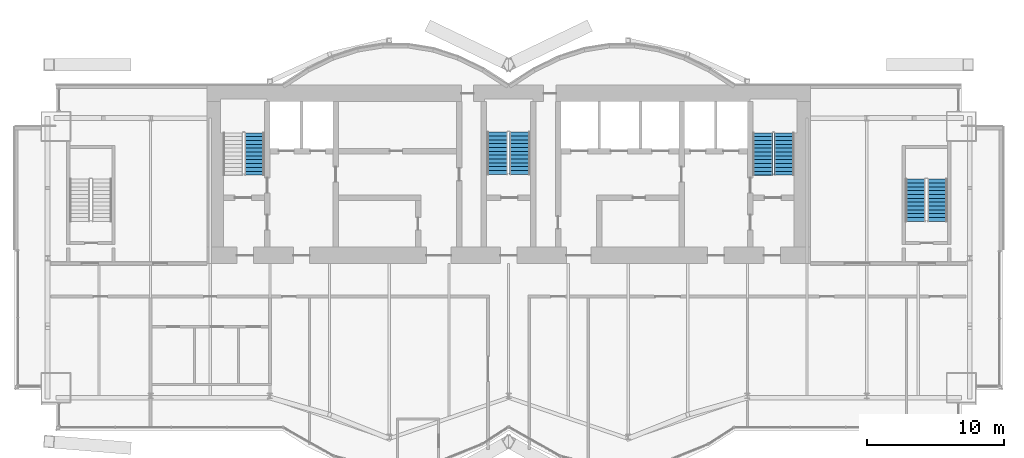
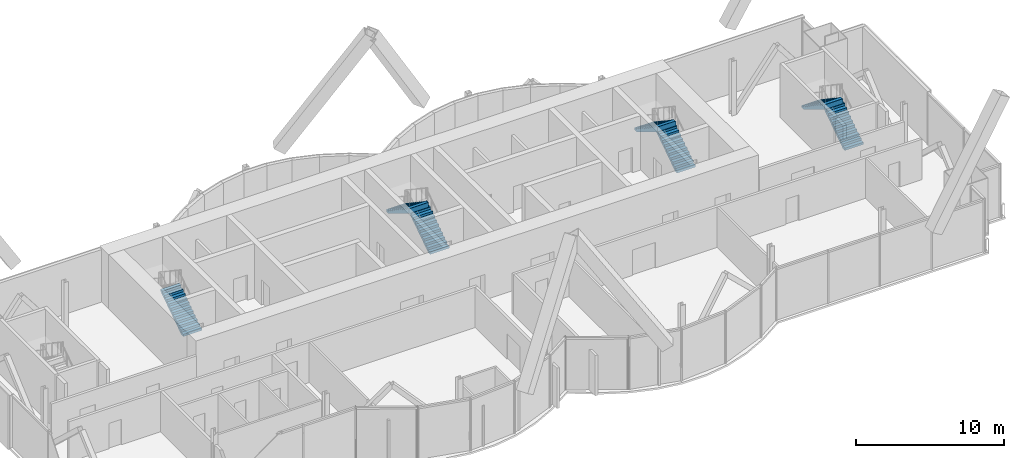
# One storey, part 14 of 17: 7 stair flights, 4 elements without a shape of their own.
"""IFC4 building model written with IfcOpenShell, lengths in metres."""

import ifcopenshell
import ifcopenshell.guid

model = None  # the IFC model being written
_history = None  # IfcOwnerHistory: only IFC2X3 demands one
_inside = {}  # id of a spatial element -> (the spatial element, [elements in it])
_under = {}  # id of a project, library or spatial element -> (it, [spatial elements below it])
_declared = {}  # id of a project -> (the project, [libraries it declares])
_typed = {}  # id of a type object -> (the type object, [elements of that type])
_made_of = {}  # id of a material, layer set ... -> (it, [elements and type objects made of it])


def new_model(schema):
    """Start an empty IFC model of exactly this schema.

    Asked for "IFC4X3", IfcOpenShell would pick the latest addendum, in which some entities
    have other attributes; the version numbers below select the first issue.
    IFC2X3 requires an IfcOwnerHistory on every rooted entity: one is made here for all.
    """
    global model, _history
    if schema == "IFC4X3":
        model = ifcopenshell.file(schema_version=(4, 3, 0, 0))
    else:
        model = ifcopenshell.file(schema=schema)
    _inside.clear()
    _under.clear()
    _declared.clear()
    _typed.clear()
    _made_of.clear()
    _history = None
    if model.schema == "IFC2X3":
        org = make("IfcOrganization", Name="unknown")
        user = make(
            "IfcPersonAndOrganization",
            ThePerson=make("IfcPerson", FamilyName="unknown"),
            TheOrganization=org,
        )
        app = make(
            "IfcApplication",
            ApplicationDeveloper=org,
            Version="unknown",
            ApplicationFullName="unknown",
            ApplicationIdentifier="unknown",
        )
        _history = make(
            "IfcOwnerHistory",
            OwningUser=user,
            OwningApplication=app,
            ChangeAction="ADDED",
            CreationDate=0,
        )
    return model


def make(cls, **values):
    """One entity of the class cls with the attributes given. An attribute that is None is left unset."""
    return model.create_entity(
        cls, **{name: value for name, value in values.items() if value is not None}
    )


def rooted(cls, **values):
    """An entity with a GlobalId (a new one), such as an element, a storey or a relation."""
    return make(cls, GlobalId=ifcopenshell.guid.new(), OwnerHistory=_history, **values)


def si_unit(unit_type, name, prefix=None):
    """IfcSIUnit, for example si_unit("LENGTHUNIT", "METRE", prefix="MILLI")."""
    return make("IfcSIUnit", UnitType=unit_type, Prefix=prefix, Name=name)


def assignment(units):
    """IfcUnitAssignment: the units of a project."""
    return None if units is None else make("IfcUnitAssignment", Units=units)


def point(xyz):
    """IfcCartesianPoint."""
    return None if xyz is None else make("IfcCartesianPoint", Coordinates=xyz)


def direction(xyz):
    """IfcDirection."""
    return None if xyz is None else make("IfcDirection", DirectionRatios=xyz)


def frame(location, z_axis=None, x_axis=None):
    """IfcAxis2Placement3D, a coordinate frame: its origin and axes. An axis left out is left unset."""
    return make(
        "IfcAxis2Placement3D",
        Location=point(location),
        Axis=direction(z_axis),
        RefDirection=direction(x_axis),
    )


def origin():
    """The frame at (0, 0, 0) with its axes left unset."""
    return frame((0.0, 0.0, 0.0))


def place(relative_to, where):
    """IfcLocalPlacement: puts the frame where relative to a parent placement (None: the world)."""
    return make(
        "IfcLocalPlacement", PlacementRelTo=relative_to, RelativePlacement=where
    )


def context(
    kind, dimensions, precision=None, world=None, true_north=None, identifier=None
):
    """IfcGeometricRepresentationContext, for example the 3D "Model" context."""
    return make(
        "IfcGeometricRepresentationContext",
        ContextIdentifier=identifier,
        ContextType=kind,
        CoordinateSpaceDimension=dimensions,
        Precision=precision,
        WorldCoordinateSystem=world,
        TrueNorth=true_north,
    )


def subcontext(parent, identifier, kind, view, scale=None):
    """IfcGeometricRepresentationSubContext, for example "Body" below "Model"."""
    return make(
        "IfcGeometricRepresentationSubContext",
        ContextIdentifier=identifier,
        ContextType=kind,
        ParentContext=parent,
        TargetScale=scale,
        TargetView=view,
    )


def project(units=None, contexts=None):
    """IfcProject with its units and contexts."""
    return rooted(
        "IfcProject",
        Name="project",
        RepresentationContexts=contexts,
        UnitsInContext=assignment(units),
    )


def spatial(cls, under=None, at=None, **own):
    """A site, building, storey or space (cls), placed at a placement, below another one or the project."""
    s = rooted(cls, ObjectPlacement=at, **own)
    if under is not None:
        _under.setdefault(under.id(), (under, []))[1].append(s)
    return s


def polyline(points):
    """IfcPolyline through the points."""
    return make("IfcPolyline", Points=[point(p) for p in points])


def outline(outer, holes=None, kind="AREA"):
    """IfcArbitraryClosedProfileDef: a profile drawn as a closed curve; with holes, ...WithVoids."""
    if holes is None:
        return make("IfcArbitraryClosedProfileDef", ProfileType=kind, OuterCurve=outer)
    return make(
        "IfcArbitraryProfileDefWithVoids",
        ProfileType=kind,
        OuterCurve=outer,
        InnerCurves=holes,
    )


def extrude(swept, where, along, depth):
    """IfcExtrudedAreaSolid: the profile swept, set in the frame where, extruded along a direction by depth."""
    return make(
        "IfcExtrudedAreaSolid",
        SweptArea=swept,
        Position=where,
        ExtrudedDirection=direction(along),
        Depth=depth,
    )


def shape(context_of_items, identifier, shape_type, items):
    """IfcShapeRepresentation: the items that make up one representation, for example the "Body"."""
    return make(
        "IfcShapeRepresentation",
        ContextOfItems=context_of_items,
        RepresentationIdentifier=identifier,
        RepresentationType=shape_type,
        Items=items,
    )


def material(Name=None, Category=None):
    """IfcMaterial."""
    return make("IfcMaterial", Name=Name, Category=Category)


def made_of(thing, what):
    """Note that an element or type object is made of a material, layer set ...; save() writes the relation."""
    if what is not None:
        _made_of.setdefault(what.id(), (what, []))[1].append(thing)
    return thing


def type_object(cls, material=None, **own):
    """A type object (cls), such as IfcWallType, which elements share."""
    return made_of(rooted(cls, **own), material)


def element(
    cls,
    number,
    at=None,
    inside=None,
    cuts=None,
    type_object=None,
    material=None,
    context=None,
    identifier="Body",
    shape_type=None,
    held_by="IfcProductDefinitionShape",
    body=None,
    shapes=None,
    **own,
):
    """One element of the class cls, such as IfcWall. Its Tag is "e" and its number.

    at: its placement. inside: the storey or other place that contains it. cuts: it is an
    opening in that element (IfcRelVoidsElement). A single representation is given by context,
    identifier, shape_type and body (its items); several are given by shapes. held_by: the class
    of the entity that holds the representations. save() writes the other relations.
    """
    e = rooted(cls, Tag="e%d" % number, ObjectPlacement=at, **own)
    if body is not None:
        shapes = [shape(context, identifier, shape_type, body)]
    if shapes is not None:
        e.Representation = make(held_by, Representations=shapes)
    if inside is not None:
        _inside.setdefault(inside.id(), (inside, []))[1].append(e)
    if cuts is not None:
        rooted(
            "IfcRelVoidsElement", RelatingBuildingElement=cuts, RelatedOpeningElement=e
        )
    if type_object is not None:
        _typed.setdefault(type_object.id(), (type_object, []))[1].append(e)
    return made_of(e, material)


def aggregate(whole, parts):
    """IfcRelAggregates: a whole, such as a stair, and the parts it consists of."""
    return rooted("IfcRelAggregates", RelatingObject=whole, RelatedObjects=parts)


def save(model, path):
    """Write the relations noted so far, then the file.

    IfcRelAggregates (storeys below a building ...), IfcRelContainedInSpatialStructure (elements
    in a storey), IfcRelDefinesByType, IfcRelAssociatesMaterial and IfcRelDeclares: one each for
    every whole, place, type object, material and project.
    """
    for whole, parts in _under.values():
        aggregate(whole, parts)
    for where, things in _inside.values():
        rooted(
            "IfcRelContainedInSpatialStructure",
            RelatedElements=things,
            RelatingStructure=where,
        )
    for kind, things in _typed.values():
        rooted("IfcRelDefinesByType", RelatedObjects=things, RelatingType=kind)
    for what, things in _made_of.values():
        rooted("IfcRelAssociatesMaterial", RelatedObjects=things, RelatingMaterial=what)
    for by, libraries in _declared.values():
        rooted("IfcRelDeclares", RelatingContext=by, RelatedDefinitions=libraries)
    model.write(path)


model = new_model("IFC4")

# Units and contexts
model_context = context("Model", 3, precision=1e-05, world=origin(), true_north=direction((0.0, 1.0)))
body_context = subcontext(model_context, "Body", "Model", "MODEL_VIEW")
ifc_project = project(units=[si_unit("LENGTHUNIT", "METRE"), si_unit("AREAUNIT", "SQUARE_METRE"), si_unit("VOLUMEUNIT", "CUBIC_METRE"), si_unit("PLANEANGLEUNIT", "RADIAN"), si_unit("MASSUNIT", "GRAM", prefix="KILO")], contexts=[model_context])

# Site, building, storey
site_placement = place(None, origin())
site = spatial("IfcSite", under=ifc_project, at=site_placement, CompositionType="ELEMENT")
building_placement = place(site_placement, origin())
building = spatial("IfcBuilding", under=site, at=building_placement, Name="Bicima Exchange Tower", CompositionType="ELEMENT")
storey_placement = place(building_placement, frame((0.0, 0.0, 333.5)))
storey = spatial("IfcBuildingStorey", under=building, at=storey_placement, Name="L75", CompositionType="ELEMENT", Elevation=333.5)

# Stair, stair flight
ifc_material = material(Name="Concrete C50/60", Category="concrete")
stair_type_1 = type_object("IfcStairType", Name="Exit stair", PredefinedType="HALF_TURN_STAIR", material=ifc_material)
stair_1_placement = place(storey_placement, origin())
stair_1 = element("IfcStair", 1, at=stair_1_placement, inside=storey, type_object=stair_type_1, Name="L75 West exit stair", PredefinedType="HALF_TURN_STAIR")
stair_flight_type_1 = type_object("IfcStairFlightType", Name="Stair flight RC", PredefinedType="STRAIGHT", material=ifc_material)
stair_flight_1_placement = place(storey_placement, frame((-18.52490234375, -6.550048828125, 0.0), z_axis=(0.0, 0.0, 1.0), x_axis=(0.0, 1.0, 0.0)))
stair_flight_1 = element("IfcStairFlight", 2, at=stair_flight_1_placement, type_object=stair_flight_type_1, Name="ST-W flight 1", NumberOfRisers=12, NumberOfTreads=11, PredefinedType="STRAIGHT", RiserHeight=0.1875, TreadLength=0.28, context=body_context, shape_type="SweptSolid", body=[
    extrude(outline(polyline([(0.0, 0.0), (0.0, 0.1875), (0.280029296875, 0.1875), (0.280029296875, 0.375), (0.56005859375, 0.375), (0.56005859375, 0.5625), (0.840087890625, 0.5625), (0.840087890625, 0.75), (1.1201171875, 0.75), (1.1201171875, 0.9375), (1.39990234375, 0.9375), (1.39990234375, 1.125), (1.679931640625, 1.125), (1.679931640625, 1.3125), (1.9599609375, 1.3125), (1.9599609375, 1.5), (2.239990234375, 1.5), (2.239990234375, 1.6875), (2.52001953125, 1.6875), (2.52001953125, 1.875), (2.800048828125, 1.875), (2.800048828125, 2.0625), (3.080078125, 2.0625), (3.080078125, 2.25), (3.080078125, 1.882080078125), (0.26953125, 0.0), (0.0, 0.0)])), frame((0.0, 0.72509765625, 0.0), z_axis=(0.0, -1.0, 0.0), x_axis=(1.0, 0.0, 0.0)), (0.0, 0.0, 1.0), 1.449951171875),
])
aggregate(stair_1, [stair_flight_1])

# Stair, stair flights
stair_2_placement = place(storey_placement, origin())
stair_2 = element("IfcStair", 3, at=stair_2_placement, inside=storey, type_object=stair_type_1, Name="L75 East exit stair", PredefinedType="HALF_TURN_STAIR")
stair_flight_2_placement = place(storey_placement, frame((20.074951171875, -6.550048828125, 0.0), z_axis=(0.0, 0.0, 1.0), x_axis=(0.0, 1.0, 0.0)))
stair_flight_2 = element("IfcStairFlight", 4, at=stair_flight_2_placement, type_object=stair_flight_type_1, Name="ST-E flight 1", NumberOfRisers=12, NumberOfTreads=11, PredefinedType="STRAIGHT", RiserHeight=0.1875, TreadLength=0.28, context=body_context, shape_type="SweptSolid", body=[
    extrude(outline(polyline([(0.0, 0.0), (0.0, 0.1875), (0.280029296875, 0.1875), (0.280029296875, 0.375), (0.56005859375, 0.375), (0.56005859375, 0.5625), (0.840087890625, 0.5625), (0.840087890625, 0.75), (1.1201171875, 0.75), (1.1201171875, 0.9375), (1.39990234375, 0.9375), (1.39990234375, 1.125), (1.679931640625, 1.125), (1.679931640625, 1.3125), (1.9599609375, 1.3125), (1.9599609375, 1.5), (2.239990234375, 1.5), (2.239990234375, 1.6875), (2.52001953125, 1.6875), (2.52001953125, 1.875), (2.800048828125, 1.875), (2.800048828125, 2.0625), (3.080078125, 2.0625), (3.080078125, 2.25), (3.080078125, 1.882080078125), (0.26953125, 0.0), (0.0, 0.0)])), frame((0.0, 0.72509765625, 0.0), z_axis=(0.0, -1.0, 0.0), x_axis=(1.0, 0.0, 0.0)), (0.0, 0.0, 1.0), 1.449951171875),
])
stair_flight_3_placement = place(storey_placement, frame((18.52490234375, -3.469970703125, 2.25), z_axis=(0.0, 0.0, 1.0), x_axis=(0.0, -1.0, 0.0)))
stair_flight_3 = element("IfcStairFlight", 5, at=stair_flight_3_placement, type_object=stair_flight_type_1, Name="ST-E flight 2", NumberOfRisers=12, NumberOfTreads=11, PredefinedType="STRAIGHT", RiserHeight=0.1875, TreadLength=0.28, context=body_context, shape_type="SweptSolid", body=[
    extrude(outline(polyline([(0.0, 0.0), (0.0, 0.1875), (0.280029296875, 0.1875), (0.280029296875, 0.375), (0.56005859375, 0.375), (0.56005859375, 0.5625), (0.840087890625, 0.5625), (0.840087890625, 0.75), (1.1201171875, 0.75), (1.1201171875, 0.9375), (1.39990234375, 0.9375), (1.39990234375, 1.125), (1.679931640625, 1.125), (1.679931640625, 1.3125), (1.9599609375, 1.3125), (1.9599609375, 1.5), (2.239990234375, 1.5), (2.239990234375, 1.6875), (2.52001953125, 1.6875), (2.52001953125, 1.875), (2.800048828125, 1.875), (2.800048828125, 2.0625), (3.080078125, 2.0625), (3.080078125, 2.10400390625), (3.094970703125, 2.10400390625), (3.094970703125, 1.70458984375), (0.26953125, 0.0), (0.0, 0.0)])), frame((0.0, 0.72509765625, 0.0), z_axis=(0.0, -1.0, 0.0), x_axis=(1.0, 0.0, 0.0)), (0.0, 0.0, 1.0), 1.449951171875),
])
aggregate(stair_2, [stair_flight_2, stair_flight_3])

stair_3_placement = place(storey_placement, origin())
stair_3 = element("IfcStair", 6, at=stair_3_placement, inside=storey, type_object=stair_type_1, Name="L75 East end exit stair", PredefinedType="HALF_TURN_STAIR")
stair_flight_4_placement = place(storey_placement, frame((31.25, -9.925048828125, 0.0), z_axis=(0.0, 0.0, 1.0), x_axis=(0.0, 1.0, 0.0)))
stair_flight_4 = element("IfcStairFlight", 7, at=stair_flight_4_placement, type_object=stair_flight_type_1, Name="ST-EE flight 1", NumberOfRisers=12, NumberOfTreads=11, PredefinedType="STRAIGHT", RiserHeight=0.1875, TreadLength=0.28, context=body_context, shape_type="SweptSolid", body=[
    extrude(outline(polyline([(0.0, 0.0), (0.0, 0.1875), (0.280029296875, 0.1875), (0.280029296875, 0.375), (0.56005859375, 0.375), (0.56005859375, 0.5625), (0.840087890625, 0.5625), (0.840087890625, 0.75), (1.1201171875, 0.75), (1.1201171875, 0.9375), (1.39990234375, 0.9375), (1.39990234375, 1.125), (1.679931640625, 1.125), (1.679931640625, 1.3125), (1.9599609375, 1.3125), (1.9599609375, 1.5), (2.239990234375, 1.5), (2.239990234375, 1.6875), (2.52001953125, 1.6875), (2.52001953125, 1.875), (2.800048828125, 1.875), (2.800048828125, 2.0625), (3.080078125, 2.0625), (3.080078125, 2.25), (3.080078125, 1.882080078125), (0.26953125, 0.0), (0.0, 0.0)])), frame((0.0, 0.72509765625, 0.0), z_axis=(0.0, -1.0, 0.0), x_axis=(1.0, 0.0, 0.0)), (0.0, 0.0, 1.0), 1.449951171875),
])
stair_flight_5_placement = place(storey_placement, frame((29.64990234375, -6.844970703125, 2.25), z_axis=(0.0, 0.0, 1.0), x_axis=(0.0, -1.0, 0.0)))
stair_flight_5 = element("IfcStairFlight", 8, at=stair_flight_5_placement, type_object=stair_flight_type_1, Name="ST-EE flight 2", NumberOfRisers=12, NumberOfTreads=11, PredefinedType="STRAIGHT", RiserHeight=0.1875, TreadLength=0.28, context=body_context, shape_type="SweptSolid", body=[
    extrude(outline(polyline([(0.0, 0.0), (0.0, 0.1875), (0.280029296875, 0.1875), (0.280029296875, 0.375), (0.56005859375, 0.375), (0.56005859375, 0.5625), (0.840087890625, 0.5625), (0.840087890625, 0.75), (1.1201171875, 0.75), (1.1201171875, 0.9375), (1.39990234375, 0.9375), (1.39990234375, 1.125), (1.679931640625, 1.125), (1.679931640625, 1.3125), (1.9599609375, 1.3125), (1.9599609375, 1.5), (2.239990234375, 1.5), (2.239990234375, 1.6875), (2.52001953125, 1.6875), (2.52001953125, 1.875), (2.800048828125, 1.875), (2.800048828125, 2.0625), (3.080078125, 2.0625), (3.080078125, 2.10400390625), (3.094970703125, 2.10400390625), (3.094970703125, 1.70458984375), (0.26953125, 0.0), (0.0, 0.0)])), frame((0.0, 0.72509765625, 0.0), z_axis=(0.0, -1.0, 0.0), x_axis=(1.0, 0.0, 0.0)), (0.0, 0.0, 1.0), 1.449951171875),
])
aggregate(stair_3, [stair_flight_4, stair_flight_5])

stair_type_2 = type_object("IfcStairType", Name="Exit stair 1500", PredefinedType="HALF_TURN_STAIR", material=ifc_material)
stair_4_placement = place(storey_placement, origin())
stair_4 = element("IfcStair", 9, at=stair_4_placement, inside=storey, type_object=stair_type_2, Name="L75 Central exit stair", PredefinedType="HALF_TURN_STAIR")
stair_flight_type_2 = type_object("IfcStairFlightType", Name="Stair flight RC 1500", PredefinedType="STRAIGHT", material=ifc_material)
stair_flight_6_placement = place(storey_placement, frame((0.824951171875, -6.5, 0.0), z_axis=(0.0, 0.0, 1.0), x_axis=(0.0, 1.0, 0.0)))
stair_flight_6 = element("IfcStairFlight", 10, at=stair_flight_6_placement, type_object=stair_flight_type_2, Name="ST-C flight 1", NumberOfRisers=12, NumberOfTreads=11, PredefinedType="STRAIGHT", RiserHeight=0.1875, TreadLength=0.28, context=body_context, shape_type="SweptSolid", body=[
    extrude(outline(polyline([(0.0, 0.0), (0.0, 0.1875), (0.280029296875, 0.1875), (0.280029296875, 0.375), (0.56005859375, 0.375), (0.56005859375, 0.5625), (0.840087890625, 0.5625), (0.840087890625, 0.75), (1.1201171875, 0.75), (1.1201171875, 0.9375), (1.39990234375, 0.9375), (1.39990234375, 1.125), (1.679931640625, 1.125), (1.679931640625, 1.3125), (1.9599609375, 1.3125), (1.9599609375, 1.5), (2.239990234375, 1.5), (2.239990234375, 1.6875), (2.52001953125, 1.6875), (2.52001953125, 1.875), (2.800048828125, 1.875), (2.800048828125, 2.0625), (3.080078125, 2.0625), (3.080078125, 2.25), (3.080078125, 1.882080078125), (0.26953125, 0.0), (0.0, 0.0)])), frame((0.0, 0.75, 0.0), z_axis=(0.0, -1.0, 0.0), x_axis=(1.0, 0.0, 0.0)), (0.0, 0.0, 1.0), 1.5),
])
stair_flight_7_placement = place(storey_placement, frame((-0.824951171875, -3.419921875, 2.25), z_axis=(0.0, 0.0, 1.0), x_axis=(0.0, -1.0, 0.0)))
stair_flight_7 = element("IfcStairFlight", 11, at=stair_flight_7_placement, type_object=stair_flight_type_2, Name="ST-C flight 2", NumberOfRisers=12, NumberOfTreads=11, PredefinedType="STRAIGHT", RiserHeight=0.1875, TreadLength=0.28, context=body_context, shape_type="SweptSolid", body=[
    extrude(outline(polyline([(0.0, 0.0), (0.0, 0.1875), (0.280029296875, 0.1875), (0.280029296875, 0.375), (0.56005859375, 0.375), (0.56005859375, 0.5625), (0.840087890625, 0.5625), (0.840087890625, 0.75), (1.1201171875, 0.75), (1.1201171875, 0.9375), (1.39990234375, 0.9375), (1.39990234375, 1.125), (1.679931640625, 1.125), (1.679931640625, 1.3125), (1.9599609375, 1.3125), (1.9599609375, 1.5), (2.239990234375, 1.5), (2.239990234375, 1.6875), (2.52001953125, 1.6875), (2.52001953125, 1.875), (2.800048828125, 1.875), (2.800048828125, 2.0625), (3.080078125, 2.0625), (3.080078125, 2.10400390625), (3.094970703125, 2.10400390625), (3.094970703125, 1.70458984375), (0.26953125, 0.0), (0.0, 0.0)])), frame((0.0, 0.75, 0.0), z_axis=(0.0, -1.0, 0.0), x_axis=(1.0, 0.0, 0.0)), (0.0, 0.0, 1.0), 1.5),
])
aggregate(stair_4, [stair_flight_6, stair_flight_7])

save(model, "model.ifc")
